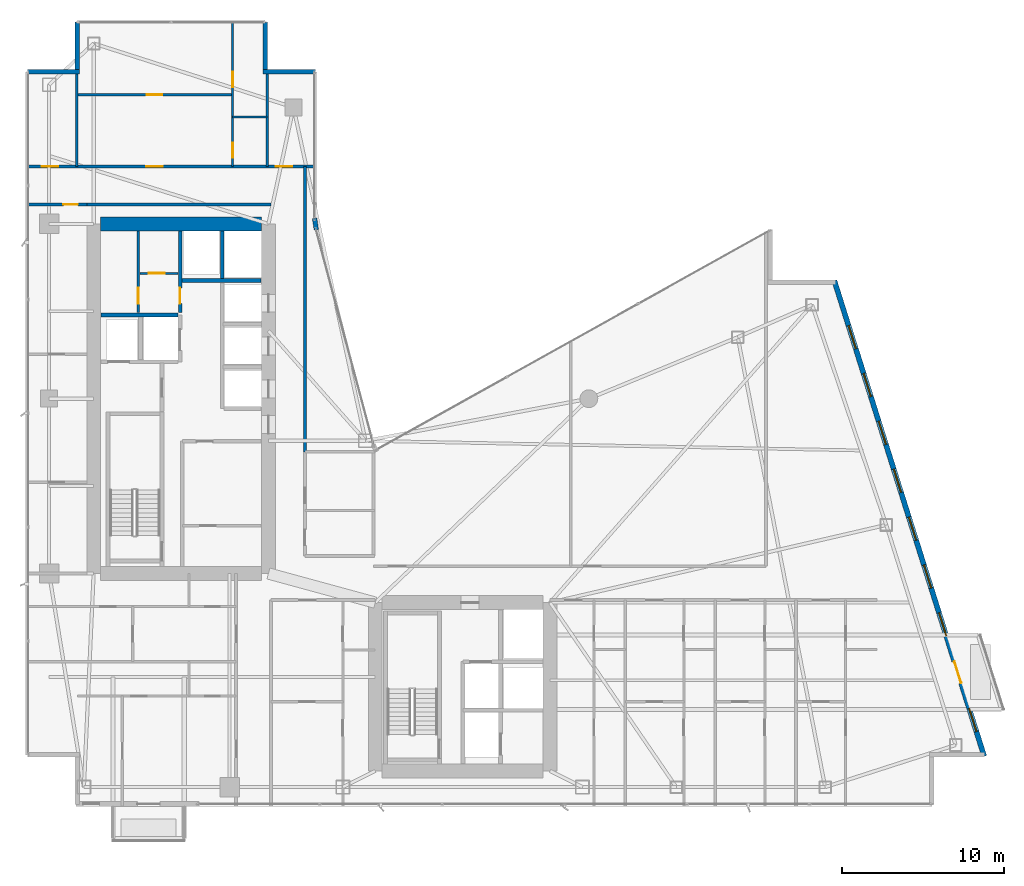
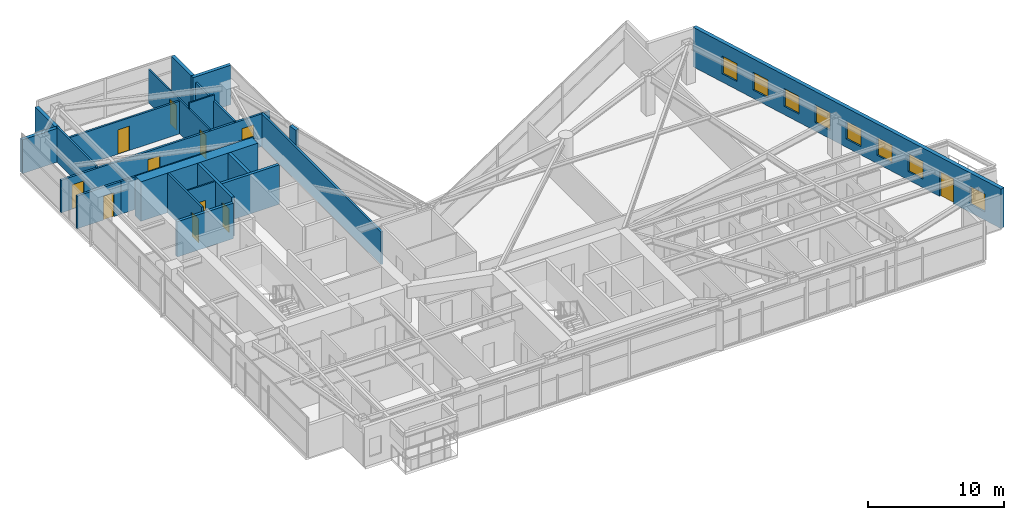
# One storey, part 25 of 29: 22 walls, 11 doors, 8 windows, 19 openings.
"""IFC4 building model written with IfcOpenShell, lengths in metres."""

from ifc_helpers import new_model, si_unit, direction, frame, frame_2d, origin, place, context, subcontext, project, spatial, rectangle, extrude, material, layer, layer_set, type_object, element, fill, save


model = new_model("IFC4")

# Units and contexts
model_context = context("Model", 3, precision=1e-05, world=origin(), true_north=direction((0.0, 1.0)))
body_context = subcontext(model_context, "Body", "Model", "MODEL_VIEW")
ifc_project = project(units=[si_unit("LENGTHUNIT", "METRE"), si_unit("AREAUNIT", "SQUARE_METRE"), si_unit("VOLUMEUNIT", "CUBIC_METRE"), si_unit("PLANEANGLEUNIT", "RADIAN"), si_unit("MASSUNIT", "GRAM", prefix="KILO")], contexts=[model_context])

# Site, building, storey
site_placement = place(None, origin())
site = spatial("IfcSite", under=ifc_project, at=site_placement, CompositionType="ELEMENT")
building_placement = place(site_placement, origin())
building = spatial("IfcBuilding", under=site, at=building_placement, Name="Calvorn Quay Hotel", CompositionType="ELEMENT")
storey_placement = place(building_placement, frame((0.0, 0.0, 167.5)))
storey = spatial("IfcBuildingStorey", under=building, at=storey_placement, Name="L41", CompositionType="ELEMENT", Elevation=167.5)

# Wall
ifc_material_1 = material(Name="Concrete C50", Category="concrete")
ifc_layer_1 = layer(ifc_material_1, 0.85009765625)
ifc_layer_set_1 = layer_set([ifc_layer_1], Name="WL-CORE-850")
wall_type_1 = type_object("IfcWallType", Name="WL-CORE-850", PredefinedType="SHEAR", material=ifc_layer_set_1)
wall_1_placement = place(storey_placement, frame((4.625, 38.39990234375, 0.0), z_axis=(0.0, 0.0, 1.0), x_axis=(1.0, 0.0, 0.0)))
element("IfcWall", 1, at=wall_1_placement, inside=storey, type_object=wall_type_1, Name="West Core Shear Wall N (L41)", PredefinedType="SHEAR", context=body_context, shape_type="SweptSolid", body=[
    extrude(rectangle(XDim=9.949951171875, YDim=0.85009765625, at=frame_2d((4.97509765625, 0.0))), origin(), (0.0, 0.0, 1.0), 3.56005859375),
])

# Wall, opening, door
ifc_material_2 = material(Name="Acoustic Fireboard Steel-Stud Partition", Category="steel")
ifc_layer_2 = layer(ifc_material_2, 0.179931640625)
ifc_layer_set_2 = layer_set([ifc_layer_2], Name="WL-CORR-FIRE-180")
wall_type_2 = type_object("IfcWallType", Name="WL-CORR-FIRE-180", PredefinedType="PARTITIONING", material=ifc_layer_set_2)
wall_2_placement = place(storey_placement, frame((0.080078125, 39.60009765625, 0.0), z_axis=(0.0, 0.0, 1.0), x_axis=(1.0, 0.0, 0.0)))
wall_2 = element("IfcWall", 2, at=wall_2_placement, inside=storey, type_object=wall_type_2, Name="Partition Wall L41-WL-WBAY-N-DOOR", PredefinedType="PARTITIONING", context=body_context, shape_type="SweptSolid", body=[
    extrude(rectangle(XDim=3.724853515625, YDim=0.179931640625, at=frame_2d((1.8623046875, 0.0))), origin(), (0.0, 0.0, 1.0), 2.93994140625),
])
opening_1_placement = place(wall_2_placement, frame((2.25, 0.0, 0.0)))
opening_1 = element("IfcOpeningElement", 3, at=opening_1_placement, cuts=wall_2, Name="Opening D-L41-WBN", PredefinedType="OPENING", context=body_context, shape_type="SweptSolid", body=[
    extrude(rectangle(XDim=0.89990234375, YDim=2.14990234375, at=frame_2d((0.449951171875, 1.074951171875))), frame((0.0, 0.099853515625, 0.0), z_axis=(0.0, -1.0, 0.0), x_axis=(1.0, 0.0, 0.0)), (0.0, 0.0, 1.0), 0.199951171875),
])
ifc_material_3 = material(Name="Moisture-Sealed Timber En-Suite Door", Category="wood")
door_type_1 = type_object("IfcDoorType", Name="DR-ENSUITE-900", OperationType="NOTDEFINED", PredefinedType="DOOR", material=ifc_material_3)
door_1_placement = place(opening_1_placement, origin())
door_1 = element("IfcDoor", 4, at=door_1_placement, inside=storey, type_object=door_type_1, Name="West North Bay Door (L41)", OperationType="SINGLE_SWING_LEFT", OverallHeight=2.14990234375, OverallWidth=0.89990234375, PredefinedType="DOOR", context=body_context, shape_type="SweptSolid", body=[
    extrude(rectangle(XDim=0.89990234375, YDim=2.14990234375, at=frame_2d((0.449951171875, 1.074951171875))), frame((0.0, 0.02490234375, 0.0), z_axis=(0.0, -1.0, 0.0), x_axis=(1.0, 0.0, 0.0)), (0.0, 0.0, 1.0), 0.050048828125),
])
fill(opening_1, door_1)

# Wall, openings, doors
wall_3_placement = place(storey_placement, frame((0.080078125, 41.949951171875, 0.0), z_axis=(0.0, 0.0, 1.0), x_axis=(1.0, 0.0, 0.0)))
wall_3 = element("IfcWall", 5, at=wall_3_placement, inside=storey, type_object=wall_type_2, Name="Partition Wall L41-WL-CORR-NW-N", PredefinedType="PARTITIONING", context=body_context, shape_type="SweptSolid", body=[
    extrude(rectangle(XDim=17.77001953125, YDim=0.179931640625, at=frame_2d((8.885009765625, 0.0))), origin(), (0.0, 0.0, 1.0), 2.93994140625),
])
opening_2_placement = place(wall_3_placement, frame((0.89990234375, 0.0, 0.0)))
opening_2 = element("IfcOpeningElement", 6, at=opening_2_placement, cuts=wall_3, Name="Opening D-L41-NWW", PredefinedType="OPENING", context=body_context, shape_type="SweptSolid", body=[
    extrude(rectangle(XDim=1.02001953125, YDim=2.199951171875, at=frame_2d((0.510009765625, 1.10009765625))), frame((0.0, 0.099853515625, 0.0), z_axis=(0.0, -1.0, 0.0), x_axis=(1.0, 0.0, 0.0)), (0.0, 0.0, 1.0), 0.199951171875),
])
opening_3_placement = place(wall_3_placement, frame((7.3798828125, 0.0, 0.0)))
opening_3 = element("IfcOpeningElement", 7, at=opening_3_placement, cuts=wall_3, Name="Opening D-L41-U04", PredefinedType="OPENING", context=body_context, shape_type="SweptSolid", body=[
    extrude(rectangle(XDim=1.02001953125, YDim=2.199951171875, at=frame_2d((0.510009765625, 1.10009765625))), frame((0.0, 0.099853515625, 0.0), z_axis=(0.0, -1.0, 0.0), x_axis=(1.0, 0.0, 0.0)), (0.0, 0.0, 1.0), 0.199951171875),
])
opening_4_placement = place(wall_3_placement, frame((15.3701171875, 0.0, 0.0)))
opening_4 = element("IfcOpeningElement", 8, at=opening_4_placement, cuts=wall_3, Name="Opening D-L41-NWE", PredefinedType="OPENING", context=body_context, shape_type="SweptSolid", body=[
    extrude(rectangle(XDim=1.02001953125, YDim=2.199951171875, at=frame_2d((0.510009765625, 1.10009765625))), frame((0.0, 0.099853515625, 0.0), z_axis=(0.0, -1.0, 0.0), x_axis=(1.0, 0.0, 0.0)), (0.0, 0.0, 1.0), 0.199951171875),
])
ifc_material_4 = material(Name="Solid-Core Walnut Veneer Hotel Fire Door")
door_type_2 = type_object("IfcDoorType", Name="DR-GUEST-ENTRY-1020", OperationType="NOTDEFINED", PredefinedType="DOOR", material=ifc_material_4)
door_2_placement = place(opening_2_placement, origin())
door_2 = element("IfcDoor", 9, at=door_2_placement, inside=storey, type_object=door_type_2, Name="West Corner Study Door (L41)", OperationType="SINGLE_SWING_LEFT", OverallHeight=2.199951171875, OverallWidth=1.02001953125, PredefinedType="DOOR", context=body_context, shape_type="SweptSolid", body=[
    extrude(rectangle(XDim=1.02001953125, YDim=2.199951171875, at=frame_2d((0.510009765625, 1.10009765625))), frame((0.0, 0.02490234375, 0.0), z_axis=(0.0, -1.0, 0.0), x_axis=(1.0, 0.0, 0.0)), (0.0, 0.0, 1.0), 0.050048828125),
])
fill(opening_2, door_2)
door_3_placement = place(opening_3_placement, origin())
door_3 = element("IfcDoor", 10, at=door_3_placement, inside=storey, type_object=door_type_2, Name="North-West Unit Door U04 (L41)", OperationType="SINGLE_SWING_RIGHT", OverallHeight=2.199951171875, OverallWidth=1.02001953125, PredefinedType="DOOR", context=body_context, shape_type="SweptSolid", body=[
    extrude(rectangle(XDim=1.02001953125, YDim=2.199951171875, at=frame_2d((0.510009765625, 1.10009765625))), frame((0.0, 0.02490234375, 0.0), z_axis=(0.0, -1.0, 0.0), x_axis=(1.0, 0.0, 0.0)), (0.0, 0.0, 1.0), 0.050048828125),
])
fill(opening_3, door_3)
door_4_placement = place(opening_4_placement, origin())
door_4 = element("IfcDoor", 11, at=door_4_placement, inside=storey, type_object=door_type_2, Name="Inner Court Study Door (L41)", OperationType="SINGLE_SWING_RIGHT", OverallHeight=2.199951171875, OverallWidth=1.02001953125, PredefinedType="DOOR", context=body_context, shape_type="SweptSolid", body=[
    extrude(rectangle(XDim=1.02001953125, YDim=2.199951171875, at=frame_2d((0.510009765625, 1.10009765625))), frame((0.0, 0.02490234375, 0.0), z_axis=(0.0, -1.0, 0.0), x_axis=(1.0, 0.0, 0.0)), (0.0, 0.0, 1.0), 0.050048828125),
])
fill(opening_4, door_4)

# Walls
wall_4_placement = place(storey_placement, frame((17.25, 24.300048828125, 0.0), z_axis=(0.0, 0.0, 1.0), x_axis=(0.0, 1.0, 0.0)))
element("IfcWall", 12, at=wall_4_placement, inside=storey, type_object=wall_type_2, Name="Partition Wall L41-WL-NW-CLOSURE-E", PredefinedType="PARTITIONING", context=body_context, shape_type="SweptSolid", body=[
    extrude(rectangle(XDim=17.64990234375, YDim=0.179931640625, at=frame_2d((8.824951171875, 0.0))), origin(), (0.0, 0.0, 1.0), 2.93994140625),
])
wall_5_placement = place(storey_placement, frame((3.7548828125, 39.60009765625, 0.0), z_axis=(0.0, 0.0, 1.0), x_axis=(1.0, 0.0, 0.0)))
element("IfcWall", 13, at=wall_5_placement, inside=storey, type_object=wall_type_2, Name="Partition Wall L41-WL-W-SPUR-S", PredefinedType="PARTITIONING", context=body_context, shape_type="SweptSolid", body=[
    extrude(rectangle(XDim=11.39501953125, YDim=0.179931640625, at=frame_2d((5.697509765625, 0.0))), origin(), (0.0, 0.0, 1.0), 2.93994140625),
])

# Wall, opening, door
ifc_material_5 = material(Name="Moisture-Resistant Tile-Backed Partition")
ifc_layer_3 = layer(ifc_material_5, 0.125)
ifc_layer_set_3 = layer_set([ifc_layer_3], Name="WL-ENSUITE-125")
wall_type_3 = type_object("IfcWallType", Name="WL-ENSUITE-125", PredefinedType="PARTITIONING", material=ifc_layer_set_3)
wall_6_placement = place(storey_placement, frame((7.050048828125, 35.35009765625, 0.0), z_axis=(0.0, 0.0, 1.0), x_axis=(1.0, 0.0, 0.0)))
wall_6 = element("IfcWall", 14, at=wall_6_placement, inside=storey, type_object=wall_type_3, Name="Partition Wall L41-WL-CWW-K-H", PredefinedType="PARTITIONING", context=body_context, shape_type="SweptSolid", body=[
    extrude(rectangle(XDim=2.369873046875, YDim=0.125, at=frame_2d((1.18505859375, 0.0))), origin(), (0.0, 0.0, 1.0), 3.56005859375),
])
opening_5_placement = place(wall_6_placement, frame((0.550048828125, 0.0, 0.0)))
opening_5 = element("IfcOpeningElement", 15, at=opening_5_placement, cuts=wall_6, Name="Opening D-L41-CK3", PredefinedType="OPENING", context=body_context, shape_type="SweptSolid", body=[
    extrude(rectangle(XDim=0.97998046875, YDim=2.14990234375, at=frame_2d((0.489990234375, 1.074951171875))), frame((0.0, 0.072509765625, 0.0), z_axis=(0.0, -1.0, 0.0), x_axis=(1.0, 0.0, 0.0)), (0.0, 0.0, 1.0), 0.14501953125),
])
ifc_material_6 = material(Name="Painted Steel Housekeeping/Riser Fire Door", Category="steel")
door_type_3 = type_object("IfcDoorType", Name="DR-SERVICE-980", OperationType="NOTDEFINED", PredefinedType="DOOR", material=ifc_material_6)
door_5_placement = place(opening_5_placement, origin())
door_5 = element("IfcDoor", 16, at=door_5_placement, inside=storey, type_object=door_type_3, Name="Telecom Closet Door (L41)", OperationType="SINGLE_SWING_RIGHT", OverallHeight=2.14990234375, OverallWidth=0.97998046875, PredefinedType="DOOR", context=body_context, shape_type="SweptSolid", body=[
    extrude(rectangle(XDim=0.97998046875, YDim=2.14990234375, at=frame_2d((0.489990234375, 1.074951171875))), frame((0.0, 0.02490234375, 0.0), z_axis=(0.0, -1.0, 0.0), x_axis=(1.0, 0.0, 0.0)), (0.0, 0.0, 1.0), 0.050048828125),
])
fill(opening_5, door_5)

# Wall
wall_7_placement = place(storey_placement, frame((12.7900390625, 45.02001953125, 0.0), z_axis=(0.0, 0.0, 1.0), x_axis=(1.0, 0.0, 0.0)))
element("IfcWall", 17, at=wall_7_placement, inside=storey, type_object=wall_type_3, Name="Partition Wall L41-WL-U04-BDV", PredefinedType="PARTITIONING", context=body_context, shape_type="SweptSolid", body=[
    extrude(rectangle(XDim=2.1298828125, YDim=0.125, at=frame_2d((1.06494140625, 0.0))), origin(), (0.0, 0.0, 1.0), 3.56005859375),
])

# Wall, openings, doors
wall_8_placement = place(storey_placement, frame((12.7900390625, 41.949951171875, 0.0), z_axis=(0.0, 0.0, 1.0), x_axis=(0.0, 1.0, 0.0)))
wall_8 = element("IfcWall", 18, at=wall_8_placement, inside=storey, type_object=wall_type_3, Name="Partition Wall L41-WL-U04-BV", PredefinedType="PARTITIONING", context=body_context, shape_type="SweptSolid", body=[
    extrude(rectangle(XDim=8.989990234375, YDim=0.125, at=frame_2d((4.4951171875, 0.0))), origin(), (0.0, 0.0, 1.0), 3.0400390625),
])
opening_6_placement = place(wall_8_placement, frame((0.550048828125, 0.0, 0.0)))
opening_6 = element("IfcOpeningElement", 19, at=opening_6_placement, cuts=wall_8, Name="Opening D-L41-E04", PredefinedType="OPENING", context=body_context, shape_type="SweptSolid", body=[
    extrude(rectangle(XDim=0.89990234375, YDim=2.14990234375, at=frame_2d((0.449951171875, 1.074951171875))), frame((0.0, 0.072509765625, 0.0), z_axis=(0.0, -1.0, 0.0), x_axis=(1.0, 0.0, 0.0)), (0.0, 0.0, 1.0), 0.14501953125),
])
opening_7_placement = place(wall_8_placement, frame((4.8798828125, 0.0, 0.0)))
opening_7 = element("IfcOpeningElement", 20, at=opening_7_placement, cuts=wall_8, Name="Opening D-L41-S04", PredefinedType="OPENING", context=body_context, shape_type="SweptSolid", body=[
    extrude(rectangle(XDim=0.9599609375, YDim=2.199951171875, at=frame_2d((0.47998046875, 1.10009765625))), frame((0.0, 0.072509765625, 0.0), z_axis=(0.0, -1.0, 0.0), x_axis=(1.0, 0.0, 0.0)), (0.0, 0.0, 1.0), 0.14501953125),
])
door_6_placement = place(opening_6_placement, origin())
door_6 = element("IfcDoor", 21, at=door_6_placement, inside=storey, type_object=door_type_1, Name="En-Suite Door 04", OperationType="SINGLE_SWING_LEFT", OverallHeight=2.14990234375, OverallWidth=0.89990234375, PredefinedType="DOOR", context=body_context, shape_type="SweptSolid", body=[
    extrude(rectangle(XDim=0.89990234375, YDim=2.14990234375, at=frame_2d((0.449951171875, 1.074951171875))), frame((0.0, 0.02490234375, 0.0), z_axis=(0.0, -1.0, 0.0), x_axis=(1.0, 0.0, 0.0)), (0.0, 0.0, 1.0), 0.050048828125),
])
fill(opening_6, door_6)
ifc_material_7 = material(Name="Solid Timber Internal Suite Door", Category="wood")
door_type_4 = type_object("IfcDoorType", Name="DR-SUITE-INT-960", OperationType="NOTDEFINED", PredefinedType="DOOR", material=ifc_material_7)
door_7_placement = place(opening_7_placement, origin())
door_7 = element("IfcDoor", 22, at=door_7_placement, inside=storey, type_object=door_type_4, Name="Private Media Cinema Door 04", OperationType="SINGLE_SWING_RIGHT", OverallHeight=2.199951171875, OverallWidth=0.9599609375, PredefinedType="DOOR", context=body_context, shape_type="SweptSolid", body=[
    extrude(rectangle(XDim=0.9599609375, YDim=2.199951171875, at=frame_2d((0.47998046875, 1.10009765625))), frame((0.0, 0.02490234375, 0.0), z_axis=(0.0, -1.0, 0.0), x_axis=(1.0, 0.0, 0.0)), (0.0, 0.0, 1.0), 0.050048828125),
])
fill(opening_7, door_7)

# Walls
ifc_material_8 = material(Name="Concrete C40", Category="concrete")
ifc_layer_4 = layer(ifc_material_8, 0.320068359375)
ifc_layer_set_4 = layer_set([ifc_layer_4], Name="WL-EXT-SPANDREL-320")
wall_type_4 = type_object("IfcWallType", Name="WL-EXT-SPANDREL-320", PredefinedType="SOLIDWALL", material=ifc_layer_set_4)
wall_9_placement = place(storey_placement, frame((17.9619140625, 38.030029296875, 0.0), z_axis=(0.0, 0.0, 1.0), x_axis=(-0.15141125477, 0.988470855377, 0.0)))
element("IfcWall", 23, at=wall_9_placement, inside=storey, type_object=wall_type_4, Name="Inner Court Corner Pier L41-ICJ2", PredefinedType="SOLIDWALL", context=body_context, shape_type="SweptSolid", body=[
    extrude(rectangle(XDim=0.738525390625, YDim=0.280029296875, at=frame_2d((0.369140625, 0.0))), origin(), (0.0, 0.0, 1.0), 3.56005859375),
])
wall_10_placement = place(storey_placement, frame((17.89990234375, 47.800048828125, 0.0), z_axis=(0.0, 0.0, 1.0), x_axis=(-1.0, 0.0, 0.0)))
element("IfcWall", 24, at=wall_10_placement, inside=storey, type_object=wall_type_4, Name="Notched Corner Spandrel L41-NWE1", PredefinedType="SOLIDWALL", context=body_context, shape_type="SweptSolid", body=[
    extrude(rectangle(XDim=3.239990234375, YDim=0.280029296875, at=frame_2d((1.6201171875, 0.0))), origin(), (0.0, 0.0, 1.0), 3.56005859375),
])
wall_11_placement = place(storey_placement, frame((14.800048828125, 47.93994140625, 0.0), z_axis=(0.0, 0.0, 1.0), x_axis=(0.0, 1.0, 0.0)))
element("IfcWall", 25, at=wall_11_placement, inside=storey, type_object=wall_type_4, Name="Notched Corner Spandrel L41-NWE2", PredefinedType="SOLIDWALL", context=body_context, shape_type="SweptSolid", body=[
    extrude(rectangle(XDim=2.93994140625, YDim=0.280029296875, at=frame_2d((1.469970703125, 0.0))), origin(), (0.0, 0.0, 1.0), 3.56005859375),
])
wall_12_placement = place(storey_placement, frame((3.199951171875, 50.8798828125, 0.0), z_axis=(0.0, 0.0, 1.0), x_axis=(0.0, -1.0, 0.0)))
element("IfcWall", 26, at=wall_12_placement, inside=storey, type_object=wall_type_4, Name="Notched Corner Spandrel L41-NW1", PredefinedType="SOLIDWALL", context=body_context, shape_type="SweptSolid", body=[
    extrude(rectangle(XDim=2.93994140625, YDim=0.280029296875, at=frame_2d((1.469970703125, 0.0))), origin(), (0.0, 0.0, 1.0), 3.0400390625),
])
wall_13_placement = place(storey_placement, frame((3.340087890625, 47.800048828125, 0.0), z_axis=(0.0, 0.0, 1.0), x_axis=(-1.0, 0.0, 0.0)))
element("IfcWall", 27, at=wall_13_placement, inside=storey, type_object=wall_type_4, Name="Notched Corner Spandrel L41-NW2", PredefinedType="SOLIDWALL", context=body_context, shape_type="SweptSolid", body=[
    extrude(rectangle(XDim=3.219970703125, YDim=0.280029296875, at=frame_2d((1.60986328125, 0.0))), origin(), (0.0, 0.0, 1.0), 3.0400390625),
])

# Wall, openings, door, windows
wall_14_placement = place(storey_placement, frame((59.22998046875, 5.5048828125, 0.0), z_axis=(0.0, 0.0, 1.0), x_axis=(-0.300509063924, 0.953778958931, 0.0)))
wall_14 = element("IfcWall", 28, at=wall_14_placement, inside=storey, type_object=wall_type_4, Name="East Stepped Waterfront Exterior Wall (L41)", PredefinedType="SOLIDWALL", context=body_context, shape_type="SweptSolid", body=[
    extrude(rectangle(XDim=30.814453125, YDim=0.320068359375, at=frame_2d((15.4072265625, 0.0))), origin(), (0.0, 0.0, 1.0), 3.56005859375),
])
opening_8_placement = place(wall_14_placement, frame((4.7470703125, 0.0, 0.0)))
opening_8 = element("IfcOpeningElement", 29, at=opening_8_placement, cuts=wall_14, Name="Opening DB-L41-1", PredefinedType="OPENING", context=body_context, shape_type="SweptSolid", body=[
    extrude(rectangle(XDim=1.39990234375, YDim=2.25, at=frame_2d((0.699951171875, 1.125))), frame((0.0, 0.169921875, 0.0), z_axis=(0.0, -1.0, 0.0), x_axis=(1.0, 0.0, 0.0)), (0.0, 0.0, 1.0), 0.340087890625),
])
opening_9_placement = place(wall_14_placement, frame((1.60009765625, 0.0, 0.75)))
opening_9 = element("IfcOpeningElement", 30, at=opening_9_placement, cuts=wall_14, Name="Opening WG-L41-E1", PredefinedType="OPENING", context=body_context, shape_type="SweptSolid", body=[
    extrude(rectangle(XDim=1.5, YDim=1.60009765625, at=frame_2d((0.75, 0.800048828125))), frame((0.0, 0.169921875, 0.0), z_axis=(0.0, -1.0, 0.0), x_axis=(1.0, 0.0, 0.0)), (0.0, 0.0, 1.0), 0.340087890625),
])
opening_10_placement = place(wall_14_placement, frame((7.800048828125, 0.0, 0.75)))
opening_10 = element("IfcOpeningElement", 31, at=opening_10_placement, cuts=wall_14, Name="Opening WG-L41-E2", PredefinedType="OPENING", context=body_context, shape_type="SweptSolid", body=[
    extrude(rectangle(XDim=1.5, YDim=1.60009765625, at=frame_2d((0.75, 0.800048828125))), frame((0.0, 0.169921875, 0.0), z_axis=(0.0, -1.0, 0.0), x_axis=(1.0, 0.0, 0.0)), (0.0, 0.0, 1.0), 0.340087890625),
])
opening_11_placement = place(wall_14_placement, frame((10.89990234375, 0.0, 0.75)))
opening_11 = element("IfcOpeningElement", 32, at=opening_11_placement, cuts=wall_14, Name="Opening WG-L41-E3", PredefinedType="OPENING", context=body_context, shape_type="SweptSolid", body=[
    extrude(rectangle(XDim=1.5, YDim=1.60009765625, at=frame_2d((0.75, 0.800048828125))), frame((0.0, 0.169921875, 0.0), z_axis=(0.0, -1.0, 0.0), x_axis=(1.0, 0.0, 0.0)), (0.0, 0.0, 1.0), 0.340087890625),
])
opening_12_placement = place(wall_14_placement, frame((14.0, 0.0, 0.75)))
opening_12 = element("IfcOpeningElement", 33, at=opening_12_placement, cuts=wall_14, Name="Opening WG-L41-E4", PredefinedType="OPENING", context=body_context, shape_type="SweptSolid", body=[
    extrude(rectangle(XDim=1.5, YDim=1.60009765625, at=frame_2d((0.75, 0.800048828125))), frame((0.0, 0.169921875, 0.0), z_axis=(0.0, -1.0, 0.0), x_axis=(1.0, 0.0, 0.0)), (0.0, 0.0, 1.0), 0.340087890625),
])
opening_13_placement = place(wall_14_placement, frame((17.10009765625, 0.0, 0.75)))
opening_13 = element("IfcOpeningElement", 34, at=opening_13_placement, cuts=wall_14, Name="Opening WG-L41-E5", PredefinedType="OPENING", context=body_context, shape_type="SweptSolid", body=[
    extrude(rectangle(XDim=1.5, YDim=1.60009765625, at=frame_2d((0.75, 0.800048828125))), frame((0.0, 0.169921875, 0.0), z_axis=(0.0, -1.0, 0.0), x_axis=(1.0, 0.0, 0.0)), (0.0, 0.0, 1.0), 0.340087890625),
])
opening_14_placement = place(wall_14_placement, frame((20.199951171875, 0.0, 0.75)))
opening_14 = element("IfcOpeningElement", 35, at=opening_14_placement, cuts=wall_14, Name="Opening WG-L41-E6", PredefinedType="OPENING", context=body_context, shape_type="SweptSolid", body=[
    extrude(rectangle(XDim=1.5, YDim=1.60009765625, at=frame_2d((0.75, 0.800048828125))), frame((0.0, 0.169921875, 0.0), z_axis=(0.0, -1.0, 0.0), x_axis=(1.0, 0.0, 0.0)), (0.0, 0.0, 1.0), 0.340087890625),
])
opening_15_placement = place(wall_14_placement, frame((23.300048828125, 0.0, 0.75)))
opening_15 = element("IfcOpeningElement", 36, at=opening_15_placement, cuts=wall_14, Name="Opening WG-L41-E7", PredefinedType="OPENING", context=body_context, shape_type="SweptSolid", body=[
    extrude(rectangle(XDim=1.5, YDim=1.60009765625, at=frame_2d((0.75, 0.800048828125))), frame((0.0, 0.169921875, 0.0), z_axis=(0.0, -1.0, 0.0), x_axis=(1.0, 0.0, 0.0)), (0.0, 0.0, 1.0), 0.340087890625),
])
opening_16_placement = place(wall_14_placement, frame((26.39990234375, 0.0, 0.75)))
opening_16 = element("IfcOpeningElement", 37, at=opening_16_placement, cuts=wall_14, Name="Opening WG-L41-E8", PredefinedType="OPENING", context=body_context, shape_type="SweptSolid", body=[
    extrude(rectangle(XDim=1.5, YDim=1.60009765625, at=frame_2d((0.75, 0.800048828125))), frame((0.0, 0.169921875, 0.0), z_axis=(0.0, -1.0, 0.0), x_axis=(1.0, 0.0, 0.0)), (0.0, 0.0, 1.0), 0.340087890625),
])
ifc_material_9 = material(Name="Typhoon-Rated Low-E Aluminium Terrace Door", Category="aluminium")
door_type_5 = type_object("IfcDoorType", Name="DR-BALCONY-GLZ-1400", OperationType="NOTDEFINED", PredefinedType="DOOR", material=ifc_material_9)
door_8_placement = place(opening_8_placement, origin())
door_8 = element("IfcDoor", 38, at=door_8_placement, inside=storey, type_object=door_type_5, Name="Tree Balcony Terrace Door L41-BALC-E", OperationType="SINGLE_SWING_LEFT", OverallHeight=2.25, OverallWidth=1.39990234375, PredefinedType="DOOR", context=body_context, shape_type="SweptSolid", body=[
    extrude(rectangle(XDim=1.39990234375, YDim=2.25, at=frame_2d((0.699951171875, 1.125))), frame((0.0, 0.02490234375, 0.0), z_axis=(0.0, -1.0, 0.0), x_axis=(1.0, 0.0, 0.0)), (0.0, 0.0, 1.0), 0.050048828125),
])
fill(opening_8, door_8)
ifc_material_10 = material(Name="Self-Closing Class B Fire Window")
window_type = type_object("IfcWindowType", Name="WIN-REFUGE-1500x1600", PartitioningType="SINGLE_PANEL", PredefinedType="WINDOW", material=ifc_material_10)
window_1_placement = place(opening_9_placement, origin())
window_1 = element("IfcWindow", 39, at=window_1_placement, inside=storey, type_object=window_type, Name="East Facade Window L41-E1", OverallHeight=1.60009765625, OverallWidth=1.5, PartitioningType="SINGLE_PANEL", PredefinedType="WINDOW", context=body_context, shape_type="SweptSolid", body=[
    extrude(rectangle(XDim=1.5, YDim=1.60009765625, at=frame_2d((0.75, 0.800048828125))), frame((0.0, 0.030029296875, 0.0), z_axis=(0.0, -1.0, 0.0), x_axis=(1.0, 0.0, 0.0)), (0.0, 0.0, 1.0), 0.06005859375),
])
fill(opening_9, window_1)
window_2_placement = place(opening_10_placement, origin())
window_2 = element("IfcWindow", 40, at=window_2_placement, inside=storey, type_object=window_type, Name="East Facade Window L41-E2", OverallHeight=1.60009765625, OverallWidth=1.5, PartitioningType="SINGLE_PANEL", PredefinedType="WINDOW", context=body_context, shape_type="SweptSolid", body=[
    extrude(rectangle(XDim=1.5, YDim=1.60009765625, at=frame_2d((0.75, 0.800048828125))), frame((0.0, 0.030029296875, 0.0), z_axis=(0.0, -1.0, 0.0), x_axis=(1.0, 0.0, 0.0)), (0.0, 0.0, 1.0), 0.06005859375),
])
fill(opening_10, window_2)
window_3_placement = place(opening_11_placement, origin())
window_3 = element("IfcWindow", 41, at=window_3_placement, inside=storey, type_object=window_type, Name="East Facade Window L41-E3", OverallHeight=1.60009765625, OverallWidth=1.5, PartitioningType="SINGLE_PANEL", PredefinedType="WINDOW", context=body_context, shape_type="SweptSolid", body=[
    extrude(rectangle(XDim=1.5, YDim=1.60009765625, at=frame_2d((0.75, 0.800048828125))), frame((0.0, 0.030029296875, 0.0), z_axis=(0.0, -1.0, 0.0), x_axis=(1.0, 0.0, 0.0)), (0.0, 0.0, 1.0), 0.06005859375),
])
fill(opening_11, window_3)
window_4_placement = place(opening_12_placement, origin())
window_4 = element("IfcWindow", 42, at=window_4_placement, inside=storey, type_object=window_type, Name="East Facade Window L41-E4", OverallHeight=1.60009765625, OverallWidth=1.5, PartitioningType="SINGLE_PANEL", PredefinedType="WINDOW", context=body_context, shape_type="SweptSolid", body=[
    extrude(rectangle(XDim=1.5, YDim=1.60009765625, at=frame_2d((0.75, 0.800048828125))), frame((0.0, 0.030029296875, 0.0), z_axis=(0.0, -1.0, 0.0), x_axis=(1.0, 0.0, 0.0)), (0.0, 0.0, 1.0), 0.06005859375),
])
fill(opening_12, window_4)
window_5_placement = place(opening_13_placement, origin())
window_5 = element("IfcWindow", 43, at=window_5_placement, inside=storey, type_object=window_type, Name="East Facade Window L41-E5", OverallHeight=1.60009765625, OverallWidth=1.5, PartitioningType="SINGLE_PANEL", PredefinedType="WINDOW", context=body_context, shape_type="SweptSolid", body=[
    extrude(rectangle(XDim=1.5, YDim=1.60009765625, at=frame_2d((0.75, 0.800048828125))), frame((0.0, 0.030029296875, 0.0), z_axis=(0.0, -1.0, 0.0), x_axis=(1.0, 0.0, 0.0)), (0.0, 0.0, 1.0), 0.06005859375),
])
fill(opening_13, window_5)
window_6_placement = place(opening_14_placement, origin())
window_6 = element("IfcWindow", 44, at=window_6_placement, inside=storey, type_object=window_type, Name="East Facade Window L41-E6", OverallHeight=1.60009765625, OverallWidth=1.5, PartitioningType="SINGLE_PANEL", PredefinedType="WINDOW", context=body_context, shape_type="SweptSolid", body=[
    extrude(rectangle(XDim=1.5, YDim=1.60009765625, at=frame_2d((0.75, 0.800048828125))), frame((0.0, 0.030029296875, 0.0), z_axis=(0.0, -1.0, 0.0), x_axis=(1.0, 0.0, 0.0)), (0.0, 0.0, 1.0), 0.06005859375),
])
fill(opening_14, window_6)
window_7_placement = place(opening_15_placement, origin())
window_7 = element("IfcWindow", 45, at=window_7_placement, inside=storey, type_object=window_type, Name="East Facade Window L41-E7", OverallHeight=1.60009765625, OverallWidth=1.5, PartitioningType="SINGLE_PANEL", PredefinedType="WINDOW", context=body_context, shape_type="SweptSolid", body=[
    extrude(rectangle(XDim=1.5, YDim=1.60009765625, at=frame_2d((0.75, 0.800048828125))), frame((0.0, 0.030029296875, 0.0), z_axis=(0.0, -1.0, 0.0), x_axis=(1.0, 0.0, 0.0)), (0.0, 0.0, 1.0), 0.06005859375),
])
fill(opening_15, window_7)
window_8_placement = place(opening_16_placement, origin())
window_8 = element("IfcWindow", 46, at=window_8_placement, inside=storey, type_object=window_type, Name="East Facade Window L41-E8", OverallHeight=1.60009765625, OverallWidth=1.5, PartitioningType="SINGLE_PANEL", PredefinedType="WINDOW", context=body_context, shape_type="SweptSolid", body=[
    extrude(rectangle(XDim=1.5, YDim=1.60009765625, at=frame_2d((0.75, 0.800048828125))), frame((0.0, 0.030029296875, 0.0), z_axis=(0.0, -1.0, 0.0), x_axis=(1.0, 0.0, 0.0)), (0.0, 0.0, 1.0), 0.06005859375),
])
fill(opening_16, window_8)

# Wall, opening, door
ifc_material_11 = material(Name="Double-Stud Acoustic Gypsum Partition")
ifc_layer_5 = layer(ifc_material_11, 0.159912109375)
ifc_layer_set_5 = layer_set([ifc_layer_5], Name="WL-INTERSUITE-160")
wall_type_5 = type_object("IfcWallType", Name="WL-INTERSUITE-160", PredefinedType="PARTITIONING", material=ifc_layer_set_5)
wall_15_placement = place(storey_placement, frame((6.949951171875, 32.919921875, 0.0), z_axis=(0.0, 0.0, 1.0), x_axis=(0.0, 1.0, 0.0)))
wall_15 = element("IfcWall", 47, at=wall_15_placement, inside=storey, type_object=wall_type_5, Name="Partition Wall L41-WL-CWW-K-V", PredefinedType="PARTITIONING", context=body_context, shape_type="SweptSolid", body=[
    extrude(rectangle(XDim=5.03515625, YDim=0.159912109375, at=frame_2d((2.517578125, 0.0))), origin(), (0.0, 0.0, 1.0), 3.56005859375),
])
opening_17_placement = place(wall_15_placement, frame((0.550048828125, 0.0, 0.0)))
opening_17 = element("IfcOpeningElement", 48, at=opening_17_placement, cuts=wall_15, Name="Opening D-L41-CK1", PredefinedType="OPENING", context=body_context, shape_type="SweptSolid", body=[
    extrude(rectangle(XDim=0.97998046875, YDim=2.14990234375, at=frame_2d((0.489990234375, 1.074951171875))), frame((0.0, 0.08984375, 0.0), z_axis=(0.0, -1.0, 0.0), x_axis=(1.0, 0.0, 0.0)), (0.0, 0.0, 1.0), 0.179931640625),
])
door_9_placement = place(opening_17_placement, origin())
door_9 = element("IfcDoor", 49, at=door_9_placement, inside=storey, type_object=door_type_3, Name="Pipe Riser Door (L41)", OperationType="SINGLE_SWING_LEFT", OverallHeight=2.14990234375, OverallWidth=0.97998046875, PredefinedType="DOOR", context=body_context, shape_type="SweptSolid", body=[
    extrude(rectangle(XDim=0.97998046875, YDim=2.14990234375, at=frame_2d((0.489990234375, 1.074951171875))), frame((0.0, 0.02490234375, 0.0), z_axis=(0.0, -1.0, 0.0), x_axis=(1.0, 0.0, 0.0)), (0.0, 0.0, 1.0), 0.050048828125),
])
fill(opening_17, door_9)

# Walls
wall_16_placement = place(storey_placement, frame((3.14990234375, 41.949951171875, 0.0), z_axis=(0.0, 0.0, 1.0), x_axis=(0.0, 1.0, 0.0)))
element("IfcWall", 50, at=wall_16_placement, inside=storey, type_object=wall_type_5, Name="Partition Wall L41-WL-NW-DIV-W0", PredefinedType="PARTITIONING", context=body_context, shape_type="SweptSolid", body=[
    extrude(rectangle(XDim=5.85009765625, YDim=0.159912109375, at=frame_2d((2.925048828125, 0.0))), origin(), (0.0, 0.0, 1.0), 3.139892578125),
])
wall_17_placement = place(storey_placement, frame((14.919921875, 41.949951171875, 0.0), z_axis=(0.0, 0.0, 1.0), x_axis=(0.0, 1.0, 0.0)))
element("IfcWall", 51, at=wall_17_placement, inside=storey, type_object=wall_type_5, Name="Partition Wall L41-WL-NW-DIV-E0", PredefinedType="PARTITIONING", context=body_context, shape_type="SweptSolid", body=[
    extrude(rectangle(XDim=5.85009765625, YDim=0.159912109375, at=frame_2d((2.925048828125, 0.0))), origin(), (0.0, 0.0, 1.0), 3.0400390625),
])

# Wall, opening, door
wall_18_placement = place(storey_placement, frame((3.14990234375, 46.3798828125, 0.0), z_axis=(0.0, 0.0, 1.0), x_axis=(1.0, 0.0, 0.0)))
wall_18 = element("IfcWall", 52, at=wall_18_placement, inside=storey, type_object=wall_type_5, Name="Partition Wall L41-WL-U04-MSP", PredefinedType="PARTITIONING", context=body_context, shape_type="SweptSolid", body=[
    extrude(rectangle(XDim=9.64013671875, YDim=0.159912109375, at=frame_2d((4.820068359375, 0.0))), origin(), (0.0, 0.0, 1.0), 2.93994140625),
])
opening_18_placement = place(wall_18_placement, frame((4.340087890625, 0.0, 0.0)))
opening_18 = element("IfcOpeningElement", 53, at=opening_18_placement, cuts=wall_18, Name="Opening D-L41-M04", PredefinedType="OPENING", context=body_context, shape_type="SweptSolid", body=[
    extrude(rectangle(XDim=0.9599609375, YDim=2.199951171875, at=frame_2d((0.47998046875, 1.10009765625))), frame((0.0, 0.08984375, 0.0), z_axis=(0.0, -1.0, 0.0), x_axis=(1.0, 0.0, 0.0)), (0.0, 0.0, 1.0), 0.179931640625),
])
door_10_placement = place(opening_18_placement, origin())
door_10 = element("IfcDoor", 54, at=door_10_placement, inside=storey, type_object=door_type_4, Name="Suite Bedroom Door 04", OperationType="SINGLE_SWING_LEFT", OverallHeight=2.199951171875, OverallWidth=0.9599609375, PredefinedType="DOOR", context=body_context, shape_type="SweptSolid", body=[
    extrude(rectangle(XDim=0.9599609375, YDim=2.199951171875, at=frame_2d((0.47998046875, 1.10009765625))), frame((0.0, 0.02490234375, 0.0), z_axis=(0.0, -1.0, 0.0), x_axis=(1.0, 0.0, 0.0)), (0.0, 0.0, 1.0), 0.050048828125),
])
fill(opening_18, door_10)

ifc_material_12 = material(Name="Autoclaved Aerated Masonry Block", Category="masonry")
ifc_layer_6 = layer(ifc_material_12, 0.219970703125)
ifc_layer_set_6 = layer_set([ifc_layer_6], Name="WL-LOBBY-FIRE-220")
wall_type_6 = type_object("IfcWallType", Name="WL-LOBBY-FIRE-220", PredefinedType="SOLIDWALL", material=ifc_layer_set_6)
wall_19_placement = place(storey_placement, frame((9.5400390625, 32.919921875, 0.0), z_axis=(0.0, 0.0, 1.0), x_axis=(0.0, 1.0, 0.0)))
wall_19 = element("IfcWall", 55, at=wall_19_placement, inside=storey, type_object=wall_type_6, Name="Partition Wall L41-WL-CWW-K-E", PredefinedType="SOLIDWALL", context=body_context, shape_type="SweptSolid", body=[
    extrude(rectangle(XDim=5.03515625, YDim=0.219970703125, at=frame_2d((2.517578125, 0.0))), origin(), (0.0, 0.0, 1.0), 3.56005859375),
])
opening_19_placement = place(wall_19_placement, frame((0.550048828125, 0.0, 0.0)))
opening_19 = element("IfcOpeningElement", 56, at=opening_19_placement, cuts=wall_19, Name="Opening D-L41-CK2", PredefinedType="OPENING", context=body_context, shape_type="SweptSolid", body=[
    extrude(rectangle(XDim=0.97998046875, YDim=2.14990234375, at=frame_2d((0.489990234375, 1.074951171875))), frame((0.0, 0.119873046875, 0.0), z_axis=(0.0, -1.0, 0.0), x_axis=(1.0, 0.0, 0.0)), (0.0, 0.0, 1.0), 0.239990234375),
])
door_11_placement = place(opening_19_placement, origin())
door_11 = element("IfcDoor", 57, at=door_11_placement, inside=storey, type_object=door_type_3, Name="Valet Closet Door (L41)", OperationType="SINGLE_SWING_LEFT", OverallHeight=2.14990234375, OverallWidth=0.97998046875, PredefinedType="DOOR", context=body_context, shape_type="SweptSolid", body=[
    extrude(rectangle(XDim=0.97998046875, YDim=2.14990234375, at=frame_2d((0.489990234375, 1.074951171875))), frame((0.0, 0.02490234375, 0.0), z_axis=(0.0, -1.0, 0.0), x_axis=(1.0, 0.0, 0.0)), (0.0, 0.0, 1.0), 0.050048828125),
])
fill(opening_19, door_11)

# Walls
ifc_material_13 = material(Name="Concrete C40", Category="concrete")
ifc_layer_7 = layer(ifc_material_13, 0.239990234375)
ifc_layer_set_7 = layer_set([ifc_layer_7], Name="WL-SHAFT-240")
wall_type_7 = type_object("IfcWallType", Name="WL-SHAFT-240", PredefinedType="SOLIDWALL", material=ifc_layer_set_7)
wall_20_placement = place(storey_placement, frame((4.64501953125, 32.780029296875, 0.0), z_axis=(0.0, 0.0, 1.0), x_axis=(1.0, 0.0, 0.0)))
element("IfcWall", 58, at=wall_20_placement, inside=storey, type_object=wall_type_7, Name="Partition Wall L41-WL-CWW-SLW-N", PredefinedType="SOLIDWALL", context=body_context, shape_type="SweptSolid", body=[
    extrude(rectangle(XDim=4.77490234375, YDim=0.239990234375, at=frame_2d((2.387451171875, 0.0))), origin(), (0.0, 0.0, 1.0), 3.18994140625),
])
wall_21_placement = place(storey_placement, frame((9.659912109375, 34.89990234375, 0.0), z_axis=(0.0, 0.0, 1.0), x_axis=(1.0, 0.0, 0.0)))
element("IfcWall", 59, at=wall_21_placement, inside=storey, type_object=wall_type_7, Name="Partition Wall L41-WL-CWW-PLH-S", PredefinedType="SOLIDWALL", context=body_context, shape_type="SweptSolid", body=[
    extrude(rectangle(XDim=4.89501953125, YDim=0.239990234375, at=frame_2d((2.447509765625, 0.0))), origin(), (0.0, 0.0, 1.0), 3.56005859375),
])
wall_22_placement = place(storey_placement, frame((12.14990234375, 35.02001953125, 0.0), z_axis=(0.0, 0.0, 1.0), x_axis=(0.0, 1.0, 0.0)))
element("IfcWall", 60, at=wall_22_placement, inside=storey, type_object=wall_type_7, Name="Partition Wall L41-WL-CWW-PLH-DIV", PredefinedType="SOLIDWALL", context=body_context, shape_type="SweptSolid", body=[
    extrude(rectangle(XDim=2.93505859375, YDim=0.239990234375, at=frame_2d((1.467529296875, 0.0))), origin(), (0.0, 0.0, 1.0), 3.56005859375),
])

save(model, "model.ifc")
